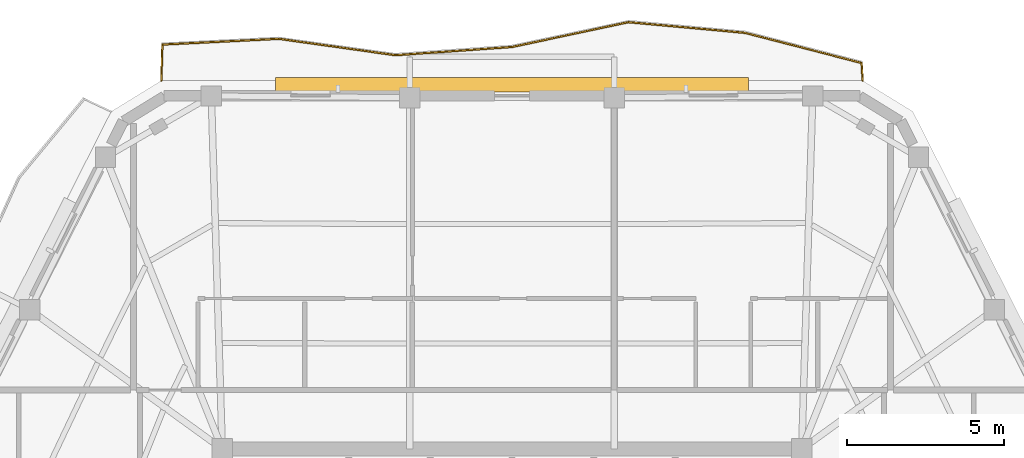
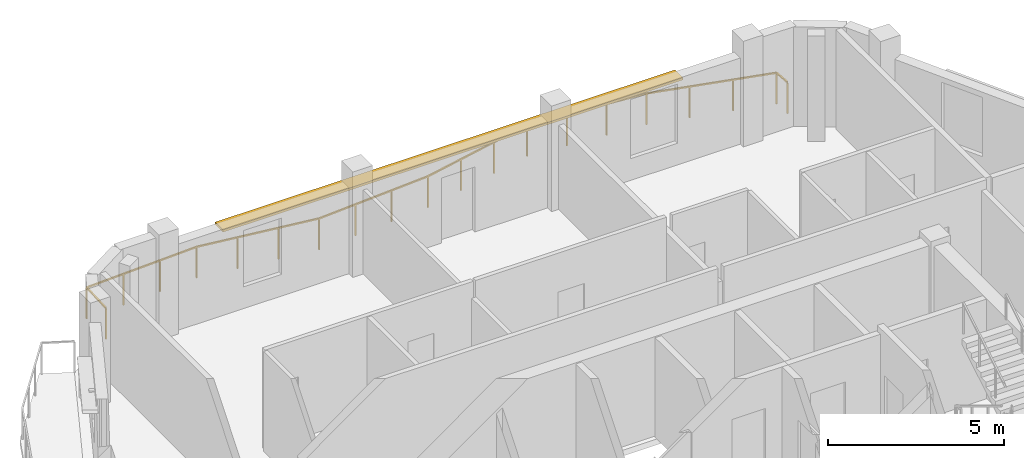
# One storey, part 12 of 12: 1 railing, 1 shading device.
"""IFC4 building model written with IfcOpenShell, lengths in metres."""

from ifc_helpers import new_model, si_unit, direction, frame, origin, origin_2d, place, context, subcontext, project, spatial, rectangle, extrude, material, layer, layer_set, type_object, element, save


model = new_model("IFC4")

# Units and contexts
model_context = context("Model", 3, precision=1e-05, world=origin(), true_north=direction((0.0, 1.0)))
body_context = subcontext(model_context, "Body", "Model", "MODEL_VIEW")
ifc_project = project(units=[si_unit("LENGTHUNIT", "METRE"), si_unit("AREAUNIT", "SQUARE_METRE"), si_unit("VOLUMEUNIT", "CUBIC_METRE"), si_unit("PLANEANGLEUNIT", "RADIAN"), si_unit("MASSUNIT", "GRAM", prefix="KILO")], contexts=[model_context])

# Site, building, storey
site_placement = place(None, origin())
site = spatial("IfcSite", under=ifc_project, at=site_placement, CompositionType="ELEMENT")
building_placement = place(site_placement, origin())
building = spatial("IfcBuilding", under=site, at=building_placement, Name="Cinnabar Lancet Tower", CompositionType="ELEMENT")
storey_placement = place(building_placement, frame((0.0, 0.0, 270.800048828125)))
storey = spatial("IfcBuildingStorey", under=building, at=storey_placement, Name="L72", CompositionType="ELEMENT", Elevation=270.800048828125)

# Railing
ifc_material_1 = material(Name="Laminated safety glass and bronze stainless steel balustrade", Category="steel")
railing_type = type_object("IfcRailingType", Name="ENV-RLG-BAL-1100", PredefinedType="BALUSTRADE", material=ifc_material_1)
railing_placement = place(storey_placement, frame((43.56396484375, 44.85009765625, 0.0)))
element("IfcRailing", 1, at=railing_placement, inside=storey, type_object=railing_type, Name="L72 Face 4 Wave Balcony Balustrade", PredefinedType="BALUSTRADE", context=body_context, shape_type="SweptSolid", body=[
    extrude(rectangle(XDim=0.048095703125, YDim=0.048095703125, at=origin_2d()), frame((0.0, 0.0, 1.076171875), z_axis=(-0.061893251, 0.998082774864, 0.0), x_axis=(-0.998082774864, -0.061893251, 0.0)), (0.0, 0.0, 1.0), 0.56396484375),
    extrude(rectangle(XDim=0.048095703125, YDim=0.048095703125, at=origin_2d()), frame((-0.034912109375, 0.56298828125, 1.076171875), z_axis=(-0.968177793086, 0.250263383209, 0.0), x_axis=(-0.250263383209, -0.968177793086, 0.0)), (0.0, 0.0, 1.0), 3.831787109375),
    extrude(rectangle(XDim=0.048095703125, YDim=0.048095703125, at=origin_2d()), frame((-3.744873046875, 1.52197265625, 1.076171875), z_axis=(-0.995831206356, 0.09121517663, 0.0), x_axis=(-0.09121517663, -0.995831206356, 0.0)), (0.0, 0.0, 1.0), 3.725830078125),
    extrude(rectangle(XDim=0.048095703125, YDim=0.048095703125, at=origin_2d()), frame((-7.455078125, 1.86181640625, 1.076171875), z_axis=(-0.978071062158, -0.208271451164, 0.0), x_axis=(0.208271451164, -0.978071062158, 0.0)), (0.0, 0.0, 1.0), 3.792236328125),
    extrude(rectangle(XDim=0.048095703125, YDim=0.048095703125, at=origin_2d()), frame((-11.1640625, 1.072021484375, 1.076171875), z_axis=(-0.997509122517, -0.070537582143, 0.0), x_axis=(0.070537582143, -0.997509122517, 0.0)), (0.0, 0.0, 1.0), 3.71728515625),
    extrude(rectangle(XDim=0.048095703125, YDim=0.048095703125, at=origin_2d()), frame((-14.8720703125, 0.809814453125, 1.076171875), z_axis=(-0.990252086422, 0.139286773735, 0.0), x_axis=(-0.139286773735, -0.990252086422, 0.0)), (0.0, 0.0, 1.0), 3.74755859375),
    extrude(rectangle(XDim=0.048095703125, YDim=0.048095703125, at=origin_2d()), frame((-18.5830078125, 1.331787109375, 1.076171875), z_axis=(-0.998788128864, -0.049216599245, 0.0), x_axis=(0.049216599245, -0.998788128864, 0.0)), (0.0, 0.0, 1.0), 3.71533203125),
    extrude(rectangle(XDim=0.048095703125, YDim=0.048095703125, at=origin_2d()), frame((-22.2939453125, 1.14892578125, 1.076171875), z_axis=(-0.02952388577, -0.999564075069, 0.0), x_axis=(0.999564075069, -0.02952388577, 0.0)), (0.0, 0.0, 1.0), 1.1494140625),
    extrude(rectangle(XDim=0.0419921875, YDim=0.0419921875, at=origin_2d()), origin(), (0.0, 0.0, 1.0), 1.052001953125),
    extrude(rectangle(XDim=0.0419921875, YDim=0.0419921875, at=origin_2d()), frame((-0.034912109375, 0.56298828125, 0.0)), (0.0, 0.0, 1.0), 1.052001953125),
    extrude(rectangle(XDim=0.0419921875, YDim=0.0419921875, at=origin_2d()), frame((-1.271484375, 0.882568359375, 0.0)), (0.0, 0.0, 1.0), 1.052001953125),
    extrude(rectangle(XDim=0.0419921875, YDim=0.0419921875, at=origin_2d()), frame((-2.50830078125, 1.202392578125, 0.0)), (0.0, 0.0, 1.0), 1.052001953125),
    extrude(rectangle(XDim=0.0419921875, YDim=0.0419921875, at=origin_2d()), frame((-3.744873046875, 1.52197265625, 0.0)), (0.0, 0.0, 1.0), 1.052001953125),
    extrude(rectangle(XDim=0.0419921875, YDim=0.0419921875, at=origin_2d()), frame((-4.981689453125, 1.63525390625, 0.0)), (0.0, 0.0, 1.0), 1.052001953125),
    extrude(rectangle(XDim=0.0419921875, YDim=0.0419921875, at=origin_2d()), frame((-6.21826171875, 1.74853515625, 0.0)), (0.0, 0.0, 1.0), 1.052001953125),
    extrude(rectangle(XDim=0.0419921875, YDim=0.0419921875, at=origin_2d()), frame((-7.455078125, 1.86181640625, 0.0)), (0.0, 0.0, 1.0), 1.052001953125),
    extrude(rectangle(XDim=0.0419921875, YDim=0.0419921875, at=origin_2d()), frame((-8.69140625, 1.5986328125, 0.0)), (0.0, 0.0, 1.0), 1.052001953125),
    extrude(rectangle(XDim=0.0419921875, YDim=0.0419921875, at=origin_2d()), frame((-9.927734375, 1.335205078125, 0.0)), (0.0, 0.0, 1.0), 1.052001953125),
    extrude(rectangle(XDim=0.0419921875, YDim=0.0419921875, at=origin_2d()), frame((-11.1640625, 1.072021484375, 0.0)), (0.0, 0.0, 1.0), 1.052001953125),
    extrude(rectangle(XDim=0.0419921875, YDim=0.0419921875, at=origin_2d()), frame((-12.400146484375, 0.984619140625, 0.0)), (0.0, 0.0, 1.0), 1.052001953125),
    extrude(rectangle(XDim=0.0419921875, YDim=0.0419921875, at=origin_2d()), frame((-13.635986328125, 0.897216796875, 0.0)), (0.0, 0.0, 1.0), 1.052001953125),
    extrude(rectangle(XDim=0.0419921875, YDim=0.0419921875, at=origin_2d()), frame((-14.8720703125, 0.809814453125, 0.0)), (0.0, 0.0, 1.0), 1.052001953125),
    extrude(rectangle(XDim=0.0419921875, YDim=0.0419921875, at=origin_2d()), frame((-16.109130859375, 0.98388671875, 0.0)), (0.0, 0.0, 1.0), 1.052001953125),
    extrude(rectangle(XDim=0.0419921875, YDim=0.0419921875, at=origin_2d()), frame((-17.345947265625, 1.15771484375, 0.0)), (0.0, 0.0, 1.0), 1.052001953125),
    extrude(rectangle(XDim=0.0419921875, YDim=0.0419921875, at=origin_2d()), frame((-18.5830078125, 1.331787109375, 0.0)), (0.0, 0.0, 1.0), 1.052001953125),
    extrude(rectangle(XDim=0.0419921875, YDim=0.0419921875, at=origin_2d()), frame((-19.820068359375, 1.270751953125, 0.0)), (0.0, 0.0, 1.0), 1.052001953125),
    extrude(rectangle(XDim=0.0419921875, YDim=0.0419921875, at=origin_2d()), frame((-21.056884765625, 1.2099609375, 0.0)), (0.0, 0.0, 1.0), 1.052001953125),
    extrude(rectangle(XDim=0.0419921875, YDim=0.0419921875, at=origin_2d()), frame((-22.2939453125, 1.14892578125, 0.0)), (0.0, 0.0, 1.0), 1.052001953125),
    extrude(rectangle(XDim=0.0419921875, YDim=0.0419921875, at=origin_2d()), frame((-22.327880859375, 0.0, 0.0)), (0.0, 0.0, 1.0), 1.052001953125),
])

# Shading device
ifc_material_2 = material(Name="Pale limestone architectural aluminium sunshade", Category="masonry")
ifc_layer = layer(ifc_material_2, 0.080078125)
ifc_layer_set = layer_set([ifc_layer], Name="Pale limestone architectural aluminium sunshade")
shading_device_type = type_object("IfcShadingDeviceType", Name="ENV-SHD-LVR-450", PredefinedType="JALOUSIE", material=ifc_layer_set)
shading_device_placement = place(storey_placement, frame((32.39990234375, 44.719970703125, 2.639892578125), z_axis=(0.0, 0.0, 1.0), x_axis=(-1.0, 0.0, 0.0)))
element("IfcShadingDevice", 2, at=shading_device_placement, inside=storey, type_object=shading_device_type, Name="L72 Face 4 Horizontal Sunshade Canopy", PredefinedType="JALOUSIE", context=body_context, shape_type="SweptSolid", body=[
    extrude(rectangle(XDim=15.06103515625, YDim=0.449951171875, at=origin_2d()), origin(), (0.0, 0.0, 1.0), 0.080078125),
])

save(model, "model.ifc")
